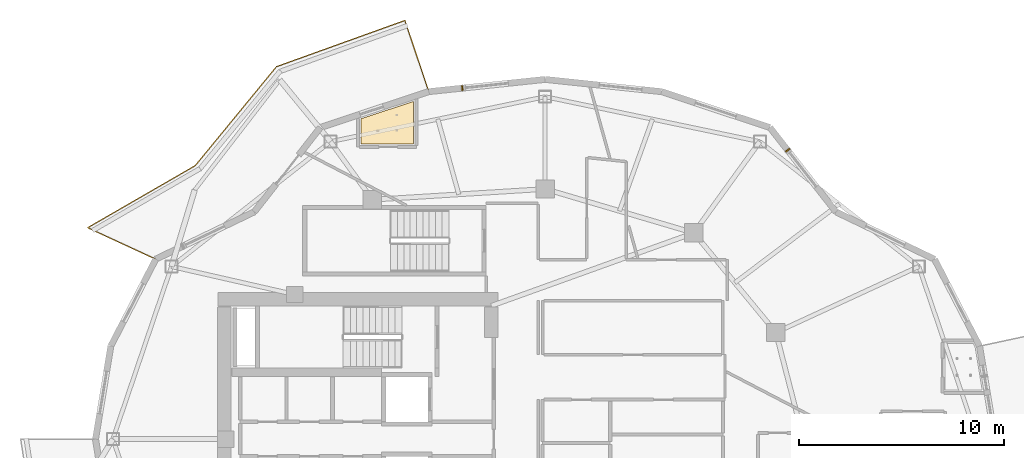
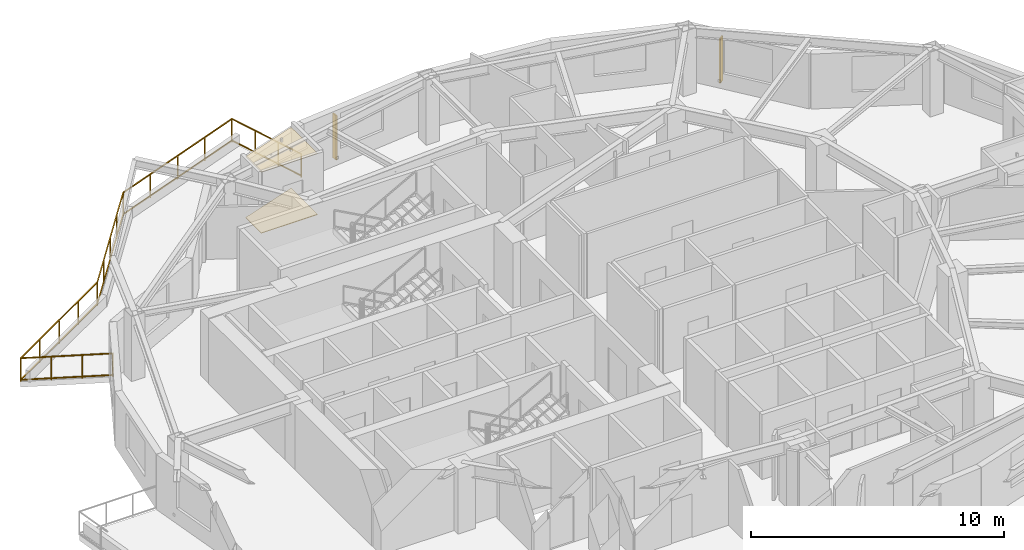
# One storey, part 14 of 14: 2 coverings, 2 shading devices, 1 railing.
"""IFC4 building model written with IfcOpenShell, lengths in metres."""

from ifc_helpers import new_model, si_unit, direction, frame, origin, origin_2d, place, context, subcontext, project, spatial, polyline, rectangle, outline, extrude, material, layer, layer_set, type_object, element, save


model = new_model("IFC4")

# Units and contexts
model_context = context("Model", 3, precision=1e-05, world=origin(), true_north=direction((0.0, 1.0)))
body_context = subcontext(model_context, "Body", "Model", "MODEL_VIEW")
ifc_project = project(units=[si_unit("LENGTHUNIT", "METRE"), si_unit("AREAUNIT", "SQUARE_METRE"), si_unit("VOLUMEUNIT", "CUBIC_METRE"), si_unit("PLANEANGLEUNIT", "RADIAN"), si_unit("MASSUNIT", "GRAM", prefix="KILO")], contexts=[model_context])

# Site, building, storey
site_placement = place(None, origin())
site = spatial("IfcSite", under=ifc_project, at=site_placement, CompositionType="ELEMENT")
building_placement = place(site_placement, origin())
building = spatial("IfcBuilding", under=site, at=building_placement, Name="Kolvaren Gate Tower and Convention Centre", CompositionType="ELEMENT")
storey_placement = place(building_placement, frame((0.0, 0.0, 173.300048828125)))
storey = spatial("IfcBuildingStorey", under=building, at=storey_placement, Name="L45", CompositionType="ELEMENT", Elevation=173.300048828125)

# Coverings
ifc_material_1 = material(Name="Perforated Mineral-Fibre Acoustic Ceiling Tile 18 mm", Category="gypsum")
ifc_layer_1 = layer(ifc_material_1, 0.01806640625)
ifc_layer_set_1 = layer_set([ifc_layer_1], Name="Perforated Mineral-Fibre Acoustic Ceiling Tile 18 mm")
covering_type_1 = type_object("IfcCoveringType", Name="ARCH-COV-CEIL-18", PredefinedType="CEILING", material=ifc_layer_set_1)
covering_1_placement = place(storey_placement, frame((0.0, 0.0, 2.949951171875)))
element("IfcCovering", 1, at=covering_1_placement, inside=storey, type_object=covering_type_1, Name="En-suite Bathroom (HTL-L45-06) Acoustic Suspended Ceiling", PredefinedType="CEILING", context=body_context, shape_type="SweptSolid", body=[
    extrude(outline(polyline([(23.7099609375, 41.389892578125), (21.139892578125, 41.389892578125), (21.139892578125, 42.6240234375), (23.7099609375, 43.47607421875), (23.7099609375, 41.389892578125)])), origin(), (0.0, 0.0, 1.0), 0.01806640625),
])
ifc_material_2 = material(Name="Honed Sabana Limestone Terrazzo Flooring 30 mm", Category="masonry")
ifc_layer_2 = layer(ifc_material_2, 0.030029296875)
ifc_layer_set_2 = layer_set([ifc_layer_2], Name="Honed Sabana Limestone Terrazzo Flooring 30 mm")
covering_type_2 = type_object("IfcCoveringType", Name="ARCH-COV-FLR-30", PredefinedType="FLOORING", material=ifc_layer_set_2)
covering_2_placement = place(storey_placement, origin())
element("IfcCovering", 2, at=covering_2_placement, inside=storey, type_object=covering_type_2, Name="En-suite Bathroom (HTL-L45-06) Interior Finish Flooring", PredefinedType="FLOORING", context=body_context, shape_type="SweptSolid", body=[
    extrude(outline(polyline([(23.7099609375, 41.389892578125), (21.139892578125, 41.389892578125), (21.139892578125, 42.6240234375), (23.7099609375, 43.47607421875), (23.7099609375, 41.389892578125)])), origin(), (0.0, 0.0, 1.0), 0.030029296875),
])

# Railing
ifc_material_3 = material(Name="Brushed Stainless Steel Grade 316L", Category="steel")
railing_type = type_object("IfcRailingType", Name="ARCH-RL-GUARD-1150", PredefinedType="GUARDRAIL", material=ifc_material_3)
railing_placement = place(storey_placement, frame((24.447265625, 43.951904296875, 0.0)))
element("IfcRailing", 3, at=railing_placement, inside=storey, type_object=railing_type, Name="Tower L45 Terrace Perimeter Guardrail GR-1", PredefinedType="GUARDRAIL", context=body_context, shape_type="SweptSolid", body=[
    extrude(rectangle(XDim=0.048095703125, YDim=0.048095703125, at=origin_2d()), frame((-0.0087890625, 0.026611328125, 1.1259765625), z_axis=(-0.317568160167, 0.94823544737, 0.0), x_axis=(-0.94823544737, -0.317568160167, 0.0)), (0.0, 0.0, 1.0), 3.60400390625),
    extrude(rectangle(XDim=0.048095703125, YDim=0.048095703125, at=origin_2d()), frame((-0.0087890625, 0.026611328125, 0.083984375), z_axis=(-0.317568160167, 0.94823544737, 0.0), x_axis=(-0.94823544737, -0.317568160167, 0.0)), (0.0, 0.0, 1.0), 3.60400390625),
    extrude(rectangle(XDim=0.048095703125, YDim=0.048095703125, at=origin_2d()), frame((-1.188720703125, 3.461181640625, 1.1259765625), z_axis=(-0.940948576924, -0.338549517184, 0.0), x_axis=(0.338549517184, -0.940948576924, 0.0)), (0.0, 0.0, 1.0), 6.60791015625),
    extrude(rectangle(XDim=0.048095703125, YDim=0.048095703125, at=origin_2d()), frame((-1.188720703125, 3.461181640625, 0.083984375), z_axis=(-0.940948576924, -0.338549517184, 0.0), x_axis=(0.338549517184, -0.940948576924, 0.0)), (0.0, 0.0, 1.0), 6.60791015625),
    extrude(rectangle(XDim=0.048095703125, YDim=0.048095703125, at=origin_2d()), frame((-7.45068359375, 1.19287109375, 1.1259765625), z_axis=(-0.634429234628, -0.77298094818, 0.0), x_axis=(0.77298094818, -0.634429234628, 0.0)), (0.0, 0.0, 1.0), 6.188720703125),
    extrude(rectangle(XDim=0.048095703125, YDim=0.048095703125, at=origin_2d()), frame((-7.45068359375, 1.19287109375, 0.083984375), z_axis=(-0.634429234628, -0.77298094818, 0.0), x_axis=(0.77298094818, -0.634429234628, 0.0)), (0.0, 0.0, 1.0), 6.188720703125),
    extrude(rectangle(XDim=0.048095703125, YDim=0.048095703125, at=origin_2d()), frame((-11.4189453125, -3.62646484375, 1.1259765625), z_axis=(-0.866075571306, -0.499913097234, 0.0), x_axis=(0.499913097234, -0.866075571306, 0.0)), (0.0, 0.0, 1.0), 6.004150390625),
    extrude(rectangle(XDim=0.048095703125, YDim=0.048095703125, at=origin_2d()), frame((-11.4189453125, -3.62646484375, 0.083984375), z_axis=(-0.866075571306, -0.499913097234, 0.0), x_axis=(0.499913097234, -0.866075571306, 0.0)), (0.0, 0.0, 1.0), 6.004150390625),
    extrude(rectangle(XDim=0.048095703125, YDim=0.048095703125, at=origin_2d()), frame((-16.617919921875, -6.65380859375, 1.1259765625), z_axis=(0.907820723829, -0.419358478377, 0.0), x_axis=(0.419358478377, 0.907820723829, 0.0)), (0.0, 0.0, 1.0), 3.60400390625),
    extrude(rectangle(XDim=0.048095703125, YDim=0.048095703125, at=origin_2d()), frame((-16.617919921875, -6.65380859375, 0.083984375), z_axis=(0.907820723829, -0.419358478377, 0.0), x_axis=(0.419358478377, 0.907820723829, 0.0)), (0.0, 0.0, 1.0), 3.60400390625),
    extrude(rectangle(XDim=0.0419921875, YDim=0.0419921875, at=origin_2d()), origin(), (0.0, 0.0, 1.0), 1.14990234375),
    extrude(rectangle(XDim=0.0419921875, YDim=0.0419921875, at=origin_2d()), frame((-1.162353515625, 3.470703125, 0.0)), (0.0, 0.0, 1.0), 1.14990234375),
    extrude(rectangle(XDim=0.0419921875, YDim=0.0419921875, at=origin_2d()), frame((-0.387451171875, 1.156982421875, 0.0)), (0.0, 0.0, 1.0), 1.099853515625),
    extrude(rectangle(XDim=0.0419921875, YDim=0.0419921875, at=origin_2d()), frame((-0.77490234375, 2.313720703125, 0.0)), (0.0, 0.0, 1.0), 1.099853515625),
    extrude(rectangle(XDim=0.0419921875, YDim=0.0419921875, at=origin_2d()), frame((-7.432861328125, 1.214599609375, 0.0)), (0.0, 0.0, 1.0), 1.14990234375),
    extrude(rectangle(XDim=0.0419921875, YDim=0.0419921875, at=origin_2d()), frame((-2.72998046875, 2.90673828125, 0.0)), (0.0, 0.0, 1.0), 1.099853515625),
    extrude(rectangle(XDim=0.0419921875, YDim=0.0419921875, at=origin_2d()), frame((-4.297607421875, 2.3427734375, 0.0)), (0.0, 0.0, 1.0), 1.099853515625),
    extrude(rectangle(XDim=0.0419921875, YDim=0.0419921875, at=origin_2d()), frame((-5.865234375, 1.778564453125, 0.0)), (0.0, 0.0, 1.0), 1.099853515625),
    extrude(rectangle(XDim=0.0419921875, YDim=0.0419921875, at=origin_2d()), frame((-11.394775390625, -3.612548828125, 0.0)), (0.0, 0.0, 1.0), 1.14990234375),
    extrude(rectangle(XDim=0.0419921875, YDim=0.0419921875, at=origin_2d()), frame((-8.42333984375, 0.0078125, 0.0)), (0.0, 0.0, 1.0), 1.099853515625),
    extrude(rectangle(XDim=0.0419921875, YDim=0.0419921875, at=origin_2d()), frame((-9.413818359375, -1.198974609375, 0.0)), (0.0, 0.0, 1.0), 1.099853515625),
    extrude(rectangle(XDim=0.0419921875, YDim=0.0419921875, at=origin_2d()), frame((-10.404296875, -2.40576171875, 0.0)), (0.0, 0.0, 1.0), 1.099853515625),
    extrude(rectangle(XDim=0.0419921875, YDim=0.0419921875, at=origin_2d()), frame((-16.643310546875, -6.64208984375, 0.0)), (0.0, 0.0, 1.0), 1.14990234375),
    extrude(rectangle(XDim=0.0419921875, YDim=0.0419921875, at=origin_2d()), frame((-12.70703125, -4.369873046875, 0.0)), (0.0, 0.0, 1.0), 1.099853515625),
    extrude(rectangle(XDim=0.0419921875, YDim=0.0419921875, at=origin_2d()), frame((-14.01904296875, -5.12744140625, 0.0)), (0.0, 0.0, 1.0), 1.099853515625),
    extrude(rectangle(XDim=0.0419921875, YDim=0.0419921875, at=origin_2d()), frame((-15.3310546875, -5.884765625, 0.0)), (0.0, 0.0, 1.0), 1.099853515625),
    extrude(rectangle(XDim=0.0419921875, YDim=0.0419921875, at=origin_2d()), frame((-13.320556640625, -8.177001953125, 0.0)), (0.0, 0.0, 1.0), 1.14990234375),
    extrude(rectangle(XDim=0.0419921875, YDim=0.0419921875, at=origin_2d()), frame((-15.53564453125, -7.15380859375, 0.0)), (0.0, 0.0, 1.0), 1.099853515625),
    extrude(rectangle(XDim=0.0419921875, YDim=0.0419921875, at=origin_2d()), frame((-14.42822265625, -7.665283203125, 0.0)), (0.0, 0.0, 1.0), 1.099853515625),
])

# Shading devices
ifc_material_4 = material(Name="Kiln-Fired Bogota Terracotta Ceramic Louvre Profile", Category="masonry")
shading_device_type = type_object("IfcShadingDeviceType", Name="ARCH-SHD-FIN-180", PredefinedType="JALOUSIE", material=ifc_material_4)
for number, where, z_axis, x_axis, name in (
    (4, (41.9580078125, 41.0947265625, 0.219970703125), (0.0, 0.0, 1.0), (0.616434119112, -0.787406487651, 0.0), "Ceramic Vertical Brise-Soleil Fin FN-L45-03"),
    (5, (26.083251953125, 44.124267578125, 0.219970703125), (0.0, 0.0, 1.0), (0.994499249941, 0.104743696069, 0.0), "Ceramic Vertical Brise-Soleil Fin FN-L45-06"),
):
    element("IfcShadingDevice", number, at=place(storey_placement, frame(where, z_axis=z_axis, x_axis=x_axis)), inside=storey, type_object=shading_device_type, Name=name, PredefinedType="JALOUSIE", context=body_context, shape_type="SweptSolid", body=[
        extrude(rectangle(XDim=0.06005859375, YDim=0.239990234375, at=origin_2d()), origin(), (0.0, 0.0, 1.0), 2.14990234375),
    ])

save(model, "model.ifc")
